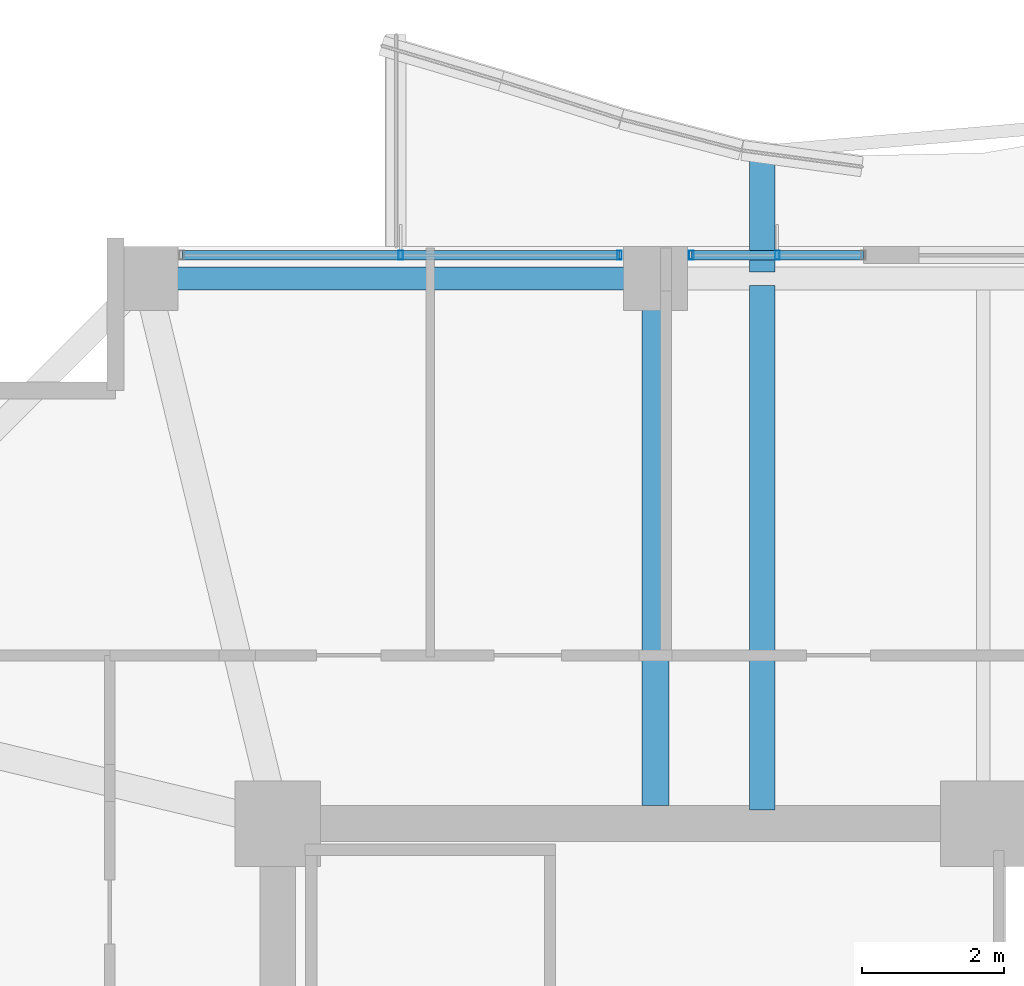
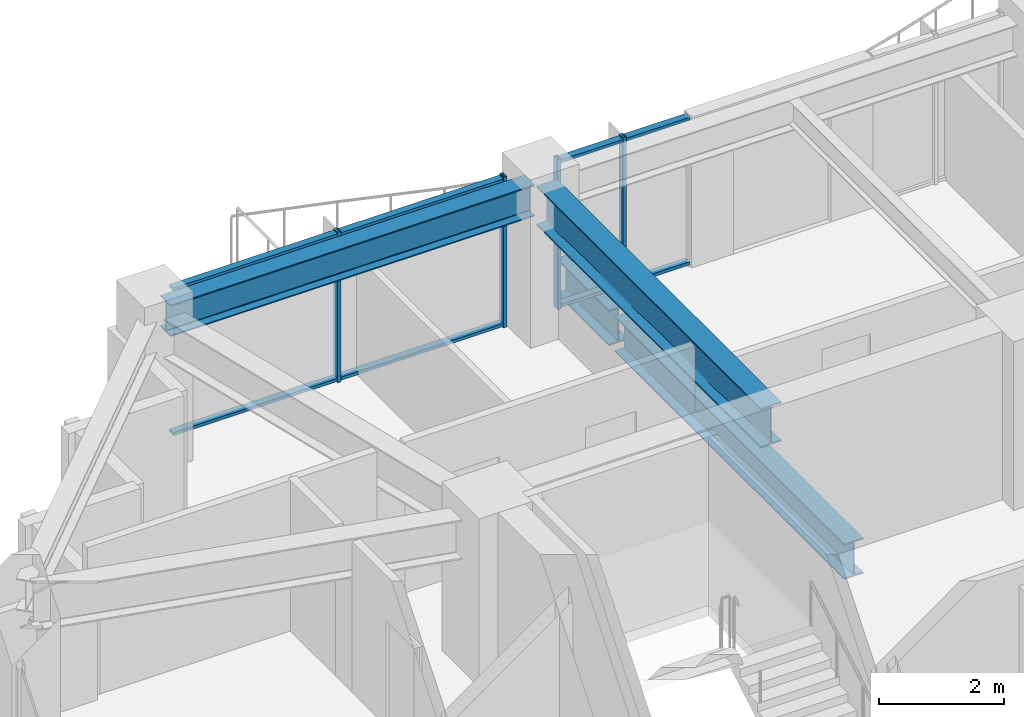
# One storey, part 17 of 31: 8 members, 4 beams, 2 elements without a shape of their own.
"""IFC4 building model written with IfcOpenShell, lengths in metres."""

from ifc_helpers import new_model, si_unit, direction, frame, origin, origin_2d, place, context, subcontext, project, spatial, hollow_rectangle, i_section, extrude, material, material_profile, profile_set, type_object, element, aggregate, save


model = new_model("IFC4")

# Units and contexts
model_context = context("Model", 3, precision=1e-05, world=origin(), true_north=direction((0.0, 1.0)))
body_context = subcontext(model_context, "Body", "Model", "MODEL_VIEW")
ifc_project = project(units=[si_unit("LENGTHUNIT", "METRE"), si_unit("AREAUNIT", "SQUARE_METRE"), si_unit("VOLUMEUNIT", "CUBIC_METRE"), si_unit("PLANEANGLEUNIT", "RADIAN"), si_unit("MASSUNIT", "GRAM", prefix="KILO")], contexts=[model_context])

# Site, building, storey
site_placement = place(None, origin())
site = spatial("IfcSite", under=ifc_project, at=site_placement, CompositionType="ELEMENT")
building_placement = place(site_placement, origin())
building = spatial("IfcBuilding", under=site, at=building_placement, Name="Kolvaren Belvedere", CompositionType="ELEMENT")
storey_placement = place(building_placement, frame((0.0, 0.0, 144.800048828125)))
storey = spatial("IfcBuildingStorey", under=building, at=storey_placement, Name="L42", CompositionType="ELEMENT", Elevation=144.800048828125)

# Beams
ifc_material_1 = material(Name="Structural steel ASTM A992 Grade 50", Category="steel")
ifc_material_profile_1 = material_profile(ifc_material_1, i_section(OverallWidth=0.35498046875, OverallDepth=0.696044921875, WebThickness=0.015380859375, FlangeThickness=0.02490234375, FilletRadius=0.02197265625, at=origin_2d()), Name="W27X146")
ifc_profile_set_1 = profile_set([ifc_material_profile_1], Name="Structural steel ASTM A992 Grade 50")
beam_type_1 = type_object("IfcBeamType", Name="BM-CANT-BAL", PredefinedType="BEAM", material=ifc_profile_set_1)
beam_1_placement = place(storey_placement, frame((-3.10009765625, 17.64501953125, -0.548095703125), z_axis=(0.0, 1.0, 0.0), x_axis=(-1.0, 0.0, 0.0)))
element("IfcBeam", 1, at=beam_1_placement, inside=storey, type_object=beam_type_1, Name="L42 Planted Balcony Cantilever BAL-N-1", PredefinedType="BEAM", context=body_context, shape_type="SweptSolid", body=[
    extrude(i_section(OverallWidth=0.35498046875, OverallDepth=0.696044921875, WebThickness=0.015380859375, FlangeThickness=0.02490234375, FilletRadius=0.02197265625, at=origin_2d()), origin(), (0.0, 0.0, 1.0), 1.6875),
])
ifc_material_2 = material(Name="Structural steel ASTM A992 Grade 50", Category="steel")
ifc_material_profile_2 = material_profile(ifc_material_2, i_section(OverallWidth=0.35498046875, OverallDepth=0.696044921875, WebThickness=0.015380859375, FlangeThickness=0.02490234375, FilletRadius=0.02197265625, at=origin_2d()), Name="W27X146")
ifc_profile_set_2 = profile_set([ifc_material_profile_2], Name="Structural steel ASTM A992 Grade 50")
beam_type_2 = type_object("IfcBeamType", Name="BM-GIRD-W27X146", PredefinedType="BEAM", material=ifc_profile_set_2)
beam_2_placement = place(storey_placement, frame((-3.10009765625, 10.090087890625, -0.548095703125), z_axis=(0.0, 1.0, 0.0), x_axis=(-1.0, 0.0, 0.0)))
element("IfcBeam", 2, at=beam_2_placement, inside=storey, type_object=beam_type_2, Name="L42 Balcony Interior Back-Span Girder BAL-N-1", PredefinedType="BEAM", context=body_context, shape_type="SweptSolid", body=[
    extrude(i_section(OverallWidth=0.35498046875, OverallDepth=0.696044921875, WebThickness=0.015380859375, FlangeThickness=0.02490234375, FilletRadius=0.02197265625, at=origin_2d()), origin(), (0.0, 0.0, 1.0), 7.364990234375),
])
ifc_material_3 = material(Name="Structural steel ASTM A992 Grade 50", Category="steel")
ifc_material_profile_3 = material_profile(ifc_material_3, i_section(OverallWidth=0.381103515625, OverallDepth=0.77294921875, WebThickness=0.0166015625, FlangeThickness=0.027099609375, FilletRadius=0.02392578125, at=origin_2d()), Name="W30X173")
ifc_profile_set_3 = profile_set([ifc_material_profile_3], Name="Structural steel ASTM A992 Grade 50")
beam_type_3 = type_object("IfcBeamType", Name="BM-GIRD-W30X173", PredefinedType="BEAM", material=ifc_profile_set_3)
beam_3_placement = place(storey_placement, frame((-4.60009765625, 10.14990234375, 2.5634765625), z_axis=(0.0, 1.0, 0.0), x_axis=(-1.0, 0.0, 0.0)))
element("IfcBeam", 3, at=beam_3_placement, inside=storey, type_object=beam_type_3, Name="L42 North Radial Girder M", PredefinedType="BEAM", context=body_context, shape_type="SweptSolid", body=[
    extrude(i_section(OverallWidth=0.381103515625, OverallDepth=0.77294921875, WebThickness=0.0166015625, FlangeThickness=0.027099609375, FilletRadius=0.02392578125, at=origin_2d()), origin(), (0.0, 0.0, 1.0), 7.197509765625),
])
ifc_material_4 = material(Name="Structural steel ASTM A992 Grade 50", Category="steel")
ifc_material_profile_4 = material_profile(ifc_material_4, i_section(OverallWidth=0.324951171875, OverallDepth=0.615966796875, WebThickness=0.013916015625, FlangeThickness=0.021484375, FilletRadius=0.02001953125, at=origin_2d()), Name="W24X117")
ifc_profile_set_4 = profile_set([ifc_material_profile_4], Name="Structural steel ASTM A992 Grade 50")
beam_type_4 = type_object("IfcBeamType", Name="BM-SPAN-W24X117", PredefinedType="SPANDREL", material=ifc_profile_set_4)
beam_4_placement = place(storey_placement, frame((-4.802490234375, 17.550048828125, 2.641845703125), z_axis=(-1.0, 0.0, 0.0), x_axis=(0.0, -1.0, 0.0)))
element("IfcBeam", 4, at=beam_4_placement, inside=storey, type_object=beam_type_4, Name="L42 Perimeter Spandrel N2-N1", PredefinedType="SPANDREL", context=body_context, shape_type="SweptSolid", body=[
    extrude(i_section(OverallWidth=0.324951171875, OverallDepth=0.615966796875, WebThickness=0.013916015625, FlangeThickness=0.021484375, FilletRadius=0.02001953125, at=origin_2d()), origin(), (0.0, 0.0, 1.0), 6.7451171875),
])

# Curtain wall, members
ifc_material_5 = material(Name="Anodised pale-metal aluminium AA 6063-T6", Category="aluminium")
curtain_wall_type = type_object("IfcCurtainWallType", Name="CW-Z3-WAIST", PredefinedType="NOTDEFINED", material=ifc_material_5)
curtain_wall_1_placement = place(storey_placement, origin())
curtain_wall_1 = element("IfcCurtainWall", 5, at=curtain_wall_1_placement, inside=storey, type_object=curtain_wall_type, Name="L42 Unitised Curtain Wall FCW-L42-N1-B1", PredefinedType="NOTDEFINED")
ifc_material_6 = material(Name="Anodised pale-metal aluminium AA 6063-T6", Category="aluminium")
ifc_material_profile_5 = material_profile(ifc_material_6, hollow_rectangle(XDim=0.06494140625, YDim=0.1298828125, WallThickness=0.00390625, at=origin_2d()), Name="ALU-MUL-130X65")
ifc_profile_set_5 = profile_set([ifc_material_profile_5], Name="Anodised pale-metal aluminium AA 6063-T6")
member_type_1 = type_object("IfcMemberType", Name="CW-MUL-130", PredefinedType="MULLION", material=ifc_profile_set_5)
member_1_placement = place(storey_placement, frame((-8.175048828125, 17.8798828125, 0.0), z_axis=(0.0, 0.0, 1.0), x_axis=(1.0, 0.0, 0.0)))
member_1 = element("IfcMember", 6, at=member_1_placement, type_object=member_type_1, Name="FCW-L42-N1-B1 Unitised Mullion 2", PredefinedType="MULLION", context=body_context, shape_type="SweptSolid", body=[
    extrude(hollow_rectangle(XDim=0.06494140625, YDim=0.1298828125, WallThickness=0.00390625, at=origin_2d()), origin(), (0.0, 0.0, 1.0), 2.949951171875),
])
member_2_placement = place(storey_placement, frame((-5.1025390625, 17.8798828125, 0.0), z_axis=(0.0, 0.0, 1.0), x_axis=(1.0, 0.0, 0.0)))
member_2 = element("IfcMember", 7, at=member_2_placement, type_object=member_type_1, Name="FCW-L42-N1-B1 Unitised Mullion 3", PredefinedType="MULLION", context=body_context, shape_type="SweptSolid", body=[
    extrude(hollow_rectangle(XDim=0.06494140625, YDim=0.1298828125, WallThickness=0.00390625, at=origin_2d()), origin(), (0.0, 0.0, 1.0), 2.949951171875),
])

curtain_wall_2_placement = place(storey_placement, origin())
curtain_wall_2 = element("IfcCurtainWall", 8, at=curtain_wall_2_placement, inside=storey, type_object=curtain_wall_type, Name="L42 Unitised Curtain Wall FCW-L42-N1-B2", PredefinedType="NOTDEFINED")
member_3_placement = place(storey_placement, frame((-4.097412109375, 17.8798828125, 0.0), z_axis=(0.0, 0.0, 1.0), x_axis=(1.0, 0.0, 0.0)))
member_3 = element("IfcMember", 9, at=member_3_placement, type_object=member_type_1, Name="FCW-L42-N1-B2 Unitised Mullion 1", PredefinedType="MULLION", context=body_context, shape_type="SweptSolid", body=[
    extrude(hollow_rectangle(XDim=0.06494140625, YDim=0.1298828125, WallThickness=0.00390625, at=origin_2d()), origin(), (0.0, 0.0, 1.0), 2.949951171875),
])
member_4_placement = place(storey_placement, frame((-2.888671875, 17.8798828125, 0.0), z_axis=(0.0, 0.0, 1.0), x_axis=(1.0, 0.0, 0.0)))
member_4 = element("IfcMember", 10, at=member_4_placement, type_object=member_type_1, Name="FCW-L42-N1-B2 Unitised Mullion 2", PredefinedType="MULLION", context=body_context, shape_type="SweptSolid", body=[
    extrude(hollow_rectangle(XDim=0.06494140625, YDim=0.1298828125, WallThickness=0.00390625, at=origin_2d()), origin(), (0.0, 0.0, 1.0), 2.949951171875),
])

# Member
ifc_material_7 = material(Name="Anodised pale-metal aluminium AA 6063-T6", Category="aluminium")
ifc_material_profile_6 = material_profile(ifc_material_7, hollow_rectangle(XDim=0.06005859375, YDim=0.1298828125, WallThickness=0.00390625, at=origin_2d()), Name="ALU-TRN-130X60")
ifc_profile_set_6 = profile_set([ifc_material_profile_6], Name="Anodised pale-metal aluminium AA 6063-T6")
member_type_2 = type_object("IfcMemberType", Name="CW-TRN-130", PredefinedType="USERDEFINED", material=ifc_profile_set_6)
member_5_placement = place(storey_placement, frame((-11.24755859375, 17.8798828125, 0.06005859375), z_axis=(1.0, 0.0, 0.0), x_axis=(0.0, 0.0, 1.0)))
member_5 = element("IfcMember", 11, at=member_5_placement, type_object=member_type_2, Name="FCW-L42-N1-B1 Sill Transom", ObjectType="TRANSOM", PredefinedType="USERDEFINED", context=body_context, shape_type="SweptSolid", body=[
    extrude(hollow_rectangle(XDim=0.06005859375, YDim=0.1298828125, WallThickness=0.00390625, at=origin_2d()), origin(), (0.0, 0.0, 1.0), 6.14501953125),
])

member_6_placement = place(storey_placement, frame((-11.24755859375, 17.8798828125, 2.889892578125), z_axis=(1.0, 0.0, 0.0), x_axis=(0.0, 0.0, 1.0)))
member_6 = element("IfcMember", 12, at=member_6_placement, type_object=member_type_2, Name="FCW-L42-N1-B1 Head Transom", ObjectType="TRANSOM", PredefinedType="USERDEFINED", context=body_context, shape_type="SweptSolid", body=[
    extrude(hollow_rectangle(XDim=0.06005859375, YDim=0.1298828125, WallThickness=0.00390625, at=origin_2d()), origin(), (0.0, 0.0, 1.0), 6.14501953125),
])

aggregate(curtain_wall_1, [member_1, member_2, member_5, member_6])

member_7_placement = place(storey_placement, frame((-4.097412109375, 17.8798828125, 0.06005859375), z_axis=(1.0, 0.0, 0.0), x_axis=(0.0, 0.0, 1.0)))
member_7 = element("IfcMember", 13, at=member_7_placement, type_object=member_type_2, Name="FCW-L42-N1-B2 Sill Transom", ObjectType="TRANSOM", PredefinedType="USERDEFINED", context=body_context, shape_type="SweptSolid", body=[
    extrude(hollow_rectangle(XDim=0.06005859375, YDim=0.1298828125, WallThickness=0.00390625, at=origin_2d()), origin(), (0.0, 0.0, 1.0), 2.41748046875),
])

member_8_placement = place(storey_placement, frame((-4.097412109375, 17.8798828125, 2.889892578125), z_axis=(1.0, 0.0, 0.0), x_axis=(0.0, 0.0, 1.0)))
member_8 = element("IfcMember", 14, at=member_8_placement, type_object=member_type_2, Name="FCW-L42-N1-B2 Head Transom", ObjectType="TRANSOM", PredefinedType="USERDEFINED", context=body_context, shape_type="SweptSolid", body=[
    extrude(hollow_rectangle(XDim=0.06005859375, YDim=0.1298828125, WallThickness=0.00390625, at=origin_2d()), origin(), (0.0, 0.0, 1.0), 2.41748046875),
])

aggregate(curtain_wall_2, [member_3, member_4, member_7, member_8])

save(model, "model.ifc")
